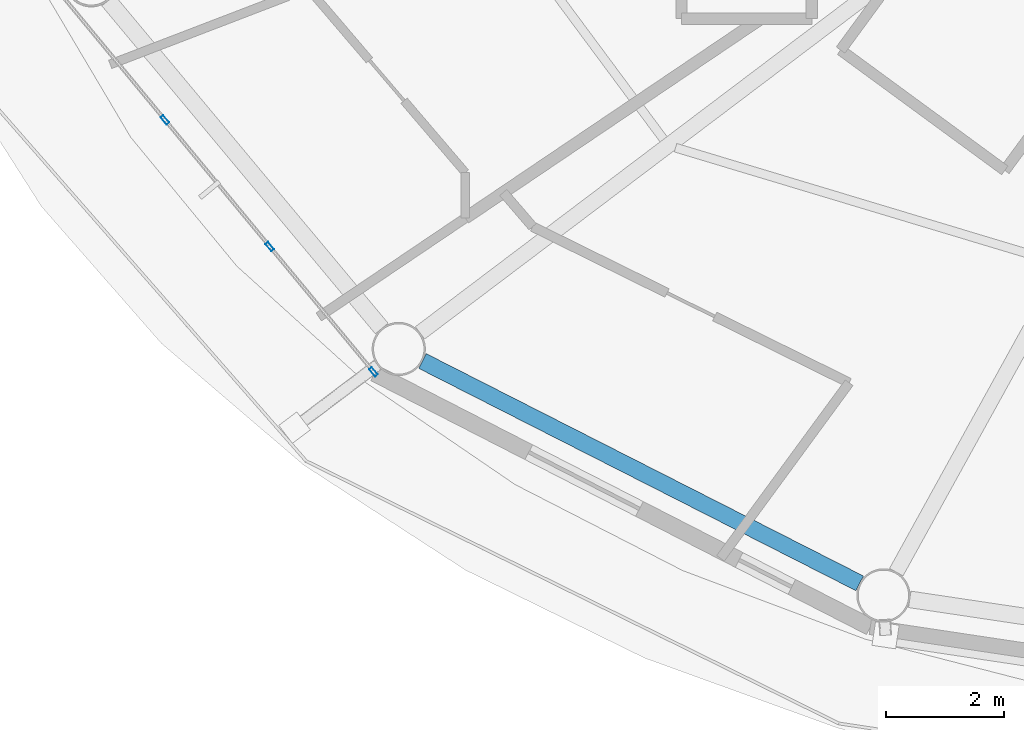
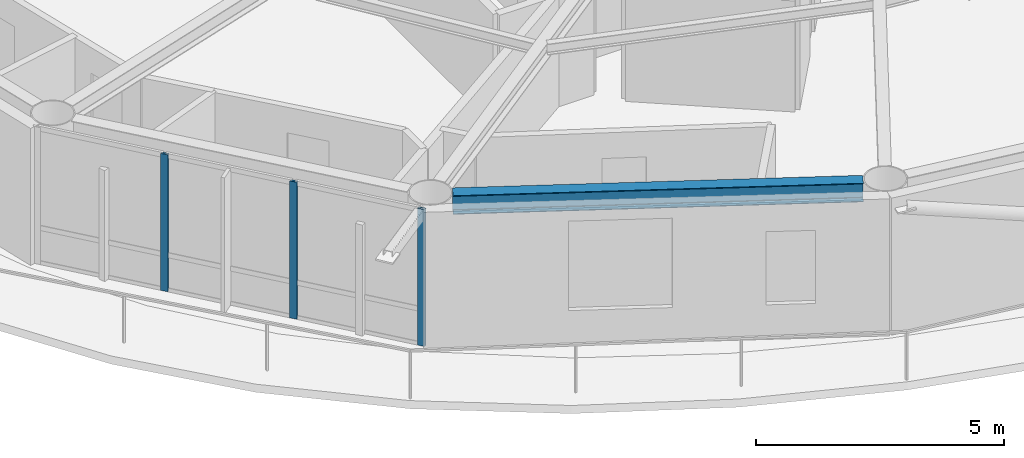
# One storey, part 2 of 22: 3 members, 1 beam, 1 element without a shape of its own.
"""IFC4 building model written with IfcOpenShell, lengths in metres."""

from ifc_helpers import new_model, si_unit, direction, frame, origin, origin_2d, place, context, subcontext, project, spatial, hollow_rectangle, i_section, extrude, material, layer, layer_set, material_profile, profile_set, type_object, element, aggregate, save


model = new_model("IFC4")

# Units and contexts
model_context = context("Model", 3, precision=1e-05, world=origin(), true_north=direction((0.0, 1.0)))
body_context = subcontext(model_context, "Body", "Model", "MODEL_VIEW")
ifc_project = project(units=[si_unit("LENGTHUNIT", "METRE"), si_unit("AREAUNIT", "SQUARE_METRE"), si_unit("VOLUMEUNIT", "CUBIC_METRE"), si_unit("PLANEANGLEUNIT", "RADIAN"), si_unit("MASSUNIT", "GRAM", prefix="KILO")], contexts=[model_context])

# Site, building, storey
site_placement = place(None, origin())
site = spatial("IfcSite", under=ifc_project, at=site_placement, CompositionType="ELEMENT")
building_placement = place(site_placement, origin())
building = spatial("IfcBuilding", under=site, at=building_placement, Name="Sarneth Arch Tower", CompositionType="ELEMENT")
storey_placement = place(building_placement, frame((0.0, 0.0, 298.199951171875)))
storey = spatial("IfcBuildingStorey", under=building, at=storey_placement, Name="L77", CompositionType="ELEMENT", Elevation=298.199951171875)

# Beam
ifc_material_1 = material(Name="Steel S355", Category="steel")
ifc_material_profile_1 = material_profile(ifc_material_1, i_section(OverallWidth=0.280029296875, OverallDepth=0.462890625, WebThickness=0.0107421875, FlangeThickness=0.017333984375, FilletRadius=0.01806640625, at=origin_2d()), Name="W460x113")
ifc_profile_set_1 = profile_set([ifc_material_profile_1], Name="Steel S355")
beam_type = type_object("IfcBeamType", Name="BM-RAD-460A", PredefinedType="BEAM", material=ifc_profile_set_1)
beam_placement = place(storey_placement, frame((30.42578125, 28.219482421875, 3.138427734375), z_axis=(0.891376248079, -0.453264144138, 0.0), x_axis=(0.453264144138, 0.891376248079, 0.0)))
element("IfcBeam", 1, at=beam_placement, inside=storey, type_object=beam_type, Name="L77 Perimeter spandrel beam 11", PredefinedType="BEAM", context=body_context, shape_type="SweptSolid", body=[
    extrude(i_section(OverallWidth=0.280029296875, OverallDepth=0.462890625, WebThickness=0.0107421875, FlangeThickness=0.017333984375, FilletRadius=0.01806640625, at=origin_2d()), origin(), (0.0, 0.0, 1.0), 8.281982421875),
])

# Curtain wall, members
ifc_material_2 = material(Name="Anodised aluminium Type AA25 and solar-control low-e laminated IGU", Category="aluminium")
ifc_layer = layer(ifc_material_2, 0.179931640625)
ifc_layer_set = layer_set([ifc_layer], Name="Anodised aluminium Type AA25 and solar-control low-e laminated IGU")
curtain_wall_type = type_object("IfcCurtainWallType", Name="CW-RES-HIGH", PredefinedType="NOTDEFINED", material=ifc_layer_set)
curtain_wall_placement = place(storey_placement, origin())
curtain_wall = element("IfcCurtainWall", 2, at=curtain_wall_placement, inside=storey, type_object=curtain_wall_type, Name="L77 Unitised curtain wall facet 10", PredefinedType="NOTDEFINED")
ifc_material_3 = material(Name="Anodised Aluminium 6063-T6", Category="aluminium")
ifc_material_profile_2 = material_profile(ifc_material_3, hollow_rectangle(XDim=0.06005859375, YDim=0.159912109375, WallThickness=0.00390625, at=origin_2d()), Name="AL-MULL-160x60x4")
ifc_profile_set_2 = profile_set([ifc_material_profile_2], Name="Anodised Aluminium 6063-T6")
member_type = type_object("IfcMemberType", Name="CW-MULLION", PredefinedType="MULLION", material=ifc_profile_set_2)
member_1_placement = place(storey_placement, frame((26.07666015625, 32.29150390625, 0.0), z_axis=(0.0, 0.0, 1.0), x_axis=(0.770359245933, 0.637610094184, 0.0)))
member_1 = element("IfcMember", 3, at=member_1_placement, type_object=member_type, Name="CW-SYS-6 mullion 2", PredefinedType="MULLION", context=body_context, shape_type="SweptSolid", body=[
    extrude(hollow_rectangle(XDim=0.06005859375, YDim=0.159912109375, WallThickness=0.00390625, at=origin_2d()), origin(), (0.0, 0.0, 1.0), 3.3701171875),
])
member_2_placement = place(storey_placement, frame((27.84716796875, 30.15234375, 0.0), z_axis=(0.0, 0.0, 1.0), x_axis=(0.770359245933, 0.637610094184, 0.0)))
member_2 = element("IfcMember", 4, at=member_2_placement, type_object=member_type, Name="CW-SYS-6 mullion 3", PredefinedType="MULLION", context=body_context, shape_type="SweptSolid", body=[
    extrude(hollow_rectangle(XDim=0.06005859375, YDim=0.159912109375, WallThickness=0.00390625, at=origin_2d()), origin(), (0.0, 0.0, 1.0), 3.3701171875),
])
member_3_placement = place(storey_placement, frame((29.598388671875, 28.03662109375, 0.0), z_axis=(0.0, 0.0, 1.0), x_axis=(0.770359245933, 0.637610094184, 0.0)))
member_3 = element("IfcMember", 5, at=member_3_placement, type_object=member_type, Name="CW-SYS-6 mullion 4", PredefinedType="MULLION", context=body_context, shape_type="SweptSolid", body=[
    extrude(hollow_rectangle(XDim=0.06005859375, YDim=0.159912109375, WallThickness=0.00390625, at=origin_2d()), origin(), (0.0, 0.0, 1.0), 3.3701171875),
])
aggregate(curtain_wall, [member_1, member_2, member_3])

save(model, "model.ifc")
